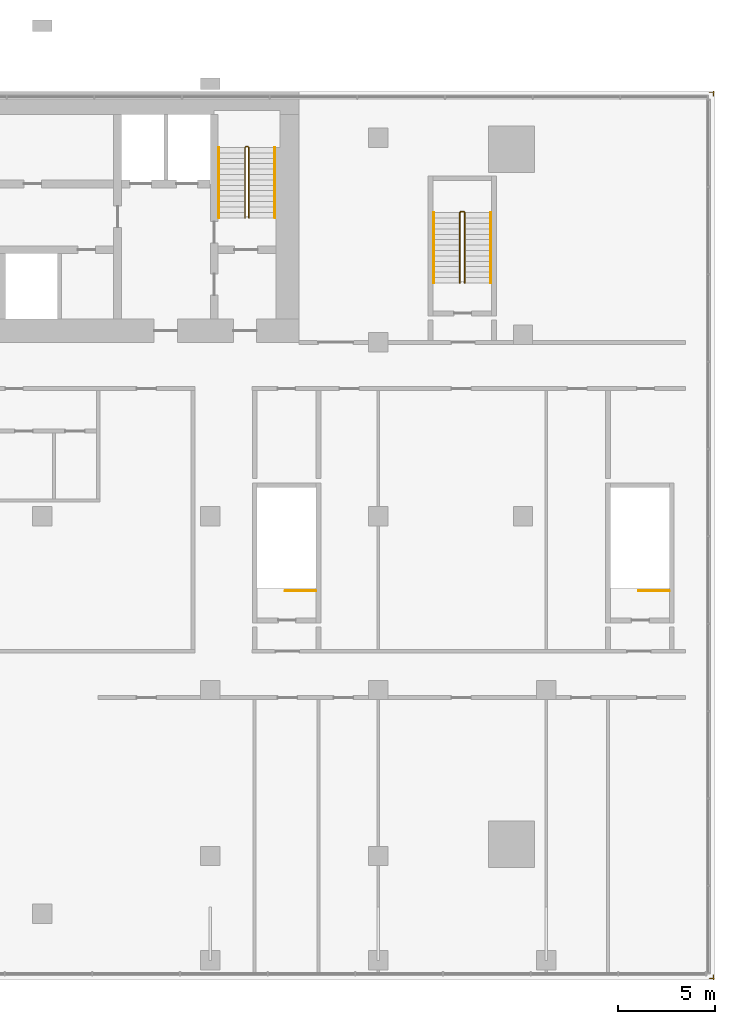
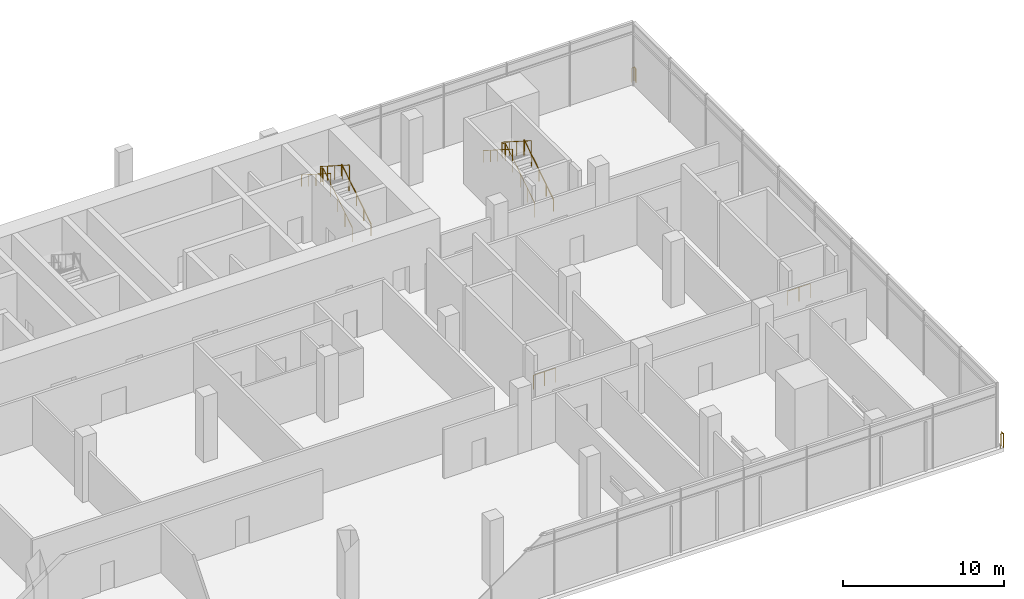
# One storey, part 17 of 17: 10 railings.
"""IFC4 building model written with IfcOpenShell, lengths in metres."""

from ifc_helpers import new_model, si_unit, direction, frame, origin, origin_2d, place, context, subcontext, project, spatial, circle, extrude, material, type_object, element, save


model = new_model("IFC4")

# Units and contexts
model_context = context("Model", 3, precision=1e-05, world=origin(), true_north=direction((0.0, 1.0)))
body_context = subcontext(model_context, "Body", "Model", "MODEL_VIEW")
ifc_project = project(units=[si_unit("LENGTHUNIT", "METRE"), si_unit("AREAUNIT", "SQUARE_METRE"), si_unit("VOLUMEUNIT", "CUBIC_METRE"), si_unit("PLANEANGLEUNIT", "RADIAN"), si_unit("MASSUNIT", "GRAM", prefix="KILO")], contexts=[model_context])

# Site, building, storey
site_placement = place(None, origin())
site = spatial("IfcSite", under=ifc_project, at=site_placement, CompositionType="ELEMENT")
building_placement = place(site_placement, origin())
building = spatial("IfcBuilding", under=site, at=building_placement, Name="Bicima Exchange Tower", CompositionType="ELEMENT")
storey_placement = place(building_placement, frame((0.0, 0.0, 30.0)))
storey = spatial("IfcBuildingStorey", under=building, at=storey_placement, Name="L05", CompositionType="ELEMENT", Elevation=30.0)

# Railings
ifc_material_1 = material(Name="Stainless steel and bonded safety glass", Category="steel")
railing_type_1 = type_object("IfcRailingType", Name="Edge guard 1100", PredefinedType="GUARDRAIL", material=ifc_material_1)
railing_1_placement = place(storey_placement, frame((43.25, -0.050048828125, 0.0)))
element("IfcRailing", 1, at=railing_1_placement, inside=storey, type_object=railing_type_1, Name="Edge guard L05 18", PredefinedType="GUARDRAIL", context=body_context, shape_type="SweptSolid", body=[
    extrude(circle(Radius=0.02392578125, at=origin_2d()), frame((0.0, 0.0, 1.076171875), z_axis=(1.0, 0.0, 0.0), x_axis=(0.0, 1.0, 0.0)), (0.0, 0.0, 1.0), 0.25),
    extrude(circle(Radius=0.02392578125, at=origin_2d()), frame((0.25, 0.0, 1.076171875), z_axis=(-0.707106781187, 0.707106781187, 0.0), x_axis=(-0.707106781187, -0.707106781187, 0.0)), (0.0, 0.0, 1.0), 0.07080078125),
    extrude(circle(Radius=0.02392578125, at=origin_2d()), frame((0.199951171875, 0.050048828125, 1.076171875), z_axis=(0.0, -1.0, 0.0), x_axis=(1.0, 0.0, 0.0)), (0.0, 0.0, 1.0), 0.25),
    extrude(circle(Radius=0.02099609375, at=origin_2d()), origin(), (0.0, 0.0, 1.0), 1.052001953125),
    extrude(circle(Radius=0.02099609375, at=origin_2d()), frame((0.25, 0.0, 0.0)), (0.0, 0.0, 1.0), 1.052001953125),
    extrude(circle(Radius=0.02099609375, at=origin_2d()), frame((0.199951171875, 0.050048828125, 0.0)), (0.0, 0.0, 1.0), 1.052001953125),
    extrude(circle(Radius=0.02099609375, at=origin_2d()), frame((0.199951171875, -0.199951171875, 0.0)), (0.0, 0.0, 1.0), 1.052001953125),
])
railing_2_placement = place(storey_placement, frame((43.449951171875, -45.75, 0.0)))
element("IfcRailing", 2, at=railing_2_placement, inside=storey, type_object=railing_type_1, Name="Edge guard L05 19", PredefinedType="GUARDRAIL", context=body_context, shape_type="SweptSolid", body=[
    extrude(circle(Radius=0.02392578125, at=origin_2d()), frame((0.0, 0.0, 1.076171875), z_axis=(0.0, -1.0, 0.0), x_axis=(1.0, 0.0, 0.0)), (0.0, 0.0, 1.0), 0.25),
    extrude(circle(Radius=0.02392578125, at=origin_2d()), frame((0.0, -0.25, 1.076171875), z_axis=(0.707106781187, 0.707106781187, 0.0), x_axis=(-0.707106781187, 0.707106781187, 0.0)), (0.0, 0.0, 1.0), 0.07080078125),
    extrude(circle(Radius=0.02392578125, at=origin_2d()), frame((0.050048828125, -0.199951171875, 1.076171875), z_axis=(-1.0, 0.0, 0.0), x_axis=(0.0, -1.0, 0.0)), (0.0, 0.0, 1.0), 0.25),
    extrude(circle(Radius=0.02099609375, at=origin_2d()), origin(), (0.0, 0.0, 1.0), 1.052001953125),
    extrude(circle(Radius=0.02099609375, at=origin_2d()), frame((0.0, -0.25, 0.0)), (0.0, 0.0, 1.0), 1.052001953125),
    extrude(circle(Radius=0.02099609375, at=origin_2d()), frame((0.050048828125, -0.199951171875, 0.0)), (0.0, 0.0, 1.0), 1.052001953125),
    extrude(circle(Radius=0.02099609375, at=origin_2d()), frame((-0.199951171875, -0.199951171875, 0.0)), (0.0, 0.0, 1.0), 1.052001953125),
])
ifc_material_2 = material(Name="Stainless steel", Category="steel")
railing_type_2 = type_object("IfcRailingType", Name="Stair guard 1100", PredefinedType="GUARDRAIL", material=ifc_material_2)
railing_3_placement = place(storey_placement, frame((19.39990234375, -6.550048828125, 0.178466796875)))
element("IfcRailing", 3, at=railing_3_placement, inside=storey, type_object=railing_type_2, Name="L05 ST-E stair guard 1", PredefinedType="GUARDRAIL", context=body_context, shape_type="SweptSolid", body=[
    extrude(circle(Radius=0.02392578125, at=origin_2d()), frame((0.0, 0.0, 1.076171875), z_axis=(0.0, 0.843127859045, 0.537713132908), x_axis=(-1.0, 0.0, 0.0)), (0.0, 0.0, 1.0), 4.3173828125),
    extrude(circle(Radius=0.02392578125, at=origin_2d()), frame((0.0, 3.64013671875, 3.3974609375), z_axis=(-0.707106781187, 0.707106781187, 0.0), x_axis=(-0.707106781187, -0.707106781187, 0.0)), (0.0, 0.0, 1.0), 0.0703125),
    extrude(circle(Radius=0.02392578125, at=origin_2d()), frame((-0.0498046875, 3.68994140625, 3.3974609375), z_axis=(-1.0, 0.0, 0.0), x_axis=(0.0, -1.0, 0.0)), (0.0, 0.0, 1.0), 0.10009765625),
    extrude(circle(Radius=0.02392578125, at=origin_2d()), frame((-0.14990234375, 3.68994140625, 3.3974609375), z_axis=(-0.26077077684, -0.25949872427, 0.929870428634), x_axis=(0.705375805398, -0.708833529934, 0.0)), (0.0, 0.0, 1.0), 0.19189453125),
    extrude(circle(Radius=0.02392578125, at=origin_2d()), frame((-0.199951171875, 3.64013671875, 3.576171875), z_axis=(0.0, -0.843127859045, 0.537713132908), x_axis=(1.0, 0.0, 0.0)), (0.0, 0.0, 1.0), 4.3173828125),
    extrude(circle(Radius=0.02099609375, at=origin_2d()), origin(), (0.0, 0.0, 1.0), 1.052001953125),
    extrude(circle(Radius=0.02099609375, at=origin_2d()), frame((0.0, 0.91015625, 0.580322265625)), (0.0, 0.0, 1.0), 1.052001953125),
    extrude(circle(Radius=0.02099609375, at=origin_2d()), frame((0.0, 1.820068359375, 1.16064453125)), (0.0, 0.0, 1.0), 1.052001953125),
    extrude(circle(Radius=0.02099609375, at=origin_2d()), frame((0.0, 2.72998046875, 1.7412109375)), (0.0, 0.0, 1.0), 1.052001953125),
    extrude(circle(Radius=0.02099609375, at=origin_2d()), frame((0.0, 3.64013671875, 2.321533203125)), (0.0, 0.0, 1.0), 1.052001953125),
    extrude(circle(Radius=0.02099609375, at=origin_2d()), frame((-0.0498046875, 3.68994140625, 2.321533203125)), (0.0, 0.0, 1.0), 1.052001953125),
    extrude(circle(Radius=0.02099609375, at=origin_2d()), frame((-0.14990234375, 3.68994140625, 2.321533203125)), (0.0, 0.0, 1.0), 1.052001953125),
    extrude(circle(Radius=0.02099609375, at=origin_2d()), frame((-0.199951171875, 3.64013671875, 2.5)), (0.0, 0.0, 1.0), 1.052001953125),
    extrude(circle(Radius=0.02099609375, at=origin_2d()), frame((-0.199951171875, 2.72998046875, 3.080322265625)), (0.0, 0.0, 1.0), 1.052001953125),
    extrude(circle(Radius=0.02099609375, at=origin_2d()), frame((-0.199951171875, 1.820068359375, 3.66064453125)), (0.0, 0.0, 1.0), 1.052001953125),
    extrude(circle(Radius=0.02099609375, at=origin_2d()), frame((-0.199951171875, 0.91015625, 4.2412109375)), (0.0, 0.0, 1.0), 1.052001953125),
    extrude(circle(Radius=0.02099609375, at=origin_2d()), frame((-0.199951171875, 0.0, 4.821533203125)), (0.0, 0.0, 1.0), 1.052001953125),
])
railing_4_placement = place(storey_placement, frame((30.574951171875, -9.925048828125, 0.178466796875)))
element("IfcRailing", 4, at=railing_4_placement, inside=storey, type_object=railing_type_2, Name="L05 ST-EE stair guard 1", PredefinedType="GUARDRAIL", context=body_context, shape_type="SweptSolid", body=[
    extrude(circle(Radius=0.02392578125, at=origin_2d()), frame((0.0, 0.0, 1.076171875), z_axis=(0.0, 0.843127859045, 0.537713132908), x_axis=(-1.0, 0.0, 0.0)), (0.0, 0.0, 1.0), 4.3173828125),
    extrude(circle(Radius=0.02392578125, at=origin_2d()), frame((0.0, 3.64013671875, 3.3974609375), z_axis=(-0.708833529934, 0.705375805398, 0.0), x_axis=(-0.705375805398, -0.708833529934, 0.0)), (0.0, 0.0, 1.0), 0.070556640625),
    extrude(circle(Radius=0.02392578125, at=origin_2d()), frame((-0.050048828125, 3.68994140625, 3.3974609375), z_axis=(-1.0, 0.0, 0.0), x_axis=(0.0, -1.0, 0.0)), (0.0, 0.0, 1.0), 0.14990234375),
    extrude(circle(Radius=0.02392578125, at=origin_2d()), frame((-0.199951171875, 3.68994140625, 3.3974609375), z_axis=(-0.26077077684, -0.25949872427, 0.929870428634), x_axis=(0.705375805398, -0.708833529934, 0.0)), (0.0, 0.0, 1.0), 0.19189453125),
    extrude(circle(Radius=0.02392578125, at=origin_2d()), frame((-0.25, 3.64013671875, 3.576171875), z_axis=(0.0, -0.843127859045, 0.537713132908), x_axis=(1.0, 0.0, 0.0)), (0.0, 0.0, 1.0), 4.3173828125),
    extrude(circle(Radius=0.02099609375, at=origin_2d()), origin(), (0.0, 0.0, 1.0), 1.052001953125),
    extrude(circle(Radius=0.02099609375, at=origin_2d()), frame((0.0, 0.91015625, 0.580322265625)), (0.0, 0.0, 1.0), 1.052001953125),
    extrude(circle(Radius=0.02099609375, at=origin_2d()), frame((0.0, 1.820068359375, 1.16064453125)), (0.0, 0.0, 1.0), 1.052001953125),
    extrude(circle(Radius=0.02099609375, at=origin_2d()), frame((0.0, 2.72998046875, 1.7412109375)), (0.0, 0.0, 1.0), 1.052001953125),
    extrude(circle(Radius=0.02099609375, at=origin_2d()), frame((0.0, 3.64013671875, 2.321533203125)), (0.0, 0.0, 1.0), 1.052001953125),
    extrude(circle(Radius=0.02099609375, at=origin_2d()), frame((-0.050048828125, 3.68994140625, 2.321533203125)), (0.0, 0.0, 1.0), 1.052001953125),
    extrude(circle(Radius=0.02099609375, at=origin_2d()), frame((-0.199951171875, 3.68994140625, 2.321533203125)), (0.0, 0.0, 1.0), 1.052001953125),
    extrude(circle(Radius=0.02099609375, at=origin_2d()), frame((-0.25, 3.64013671875, 2.5)), (0.0, 0.0, 1.0), 1.052001953125),
    extrude(circle(Radius=0.02099609375, at=origin_2d()), frame((-0.25, 2.72998046875, 3.080322265625)), (0.0, 0.0, 1.0), 1.052001953125),
    extrude(circle(Radius=0.02099609375, at=origin_2d()), frame((-0.25, 1.820068359375, 3.66064453125)), (0.0, 0.0, 1.0), 1.052001953125),
    extrude(circle(Radius=0.02099609375, at=origin_2d()), frame((-0.25, 0.91015625, 4.2412109375)), (0.0, 0.0, 1.0), 1.052001953125),
    extrude(circle(Radius=0.02099609375, at=origin_2d()), frame((-0.25, 0.0, 4.821533203125)), (0.0, 0.0, 1.0), 1.052001953125),
])
for number, where, name in (
    (5, (22.875, -25.875, 0.0), "L05 PS-EI top well guard 1"),
    (6, (41.175048828125, -25.875, 0.0), "L05 PS-E top well guard 1"),
):
    element("IfcRailing", number, at=place(storey_placement, frame(where)), inside=storey, type_object=railing_type_2, Name=name, PredefinedType="GUARDRAIL", context=body_context, shape_type="SweptSolid", body=[
        extrude(circle(Radius=0.02392578125, at=origin_2d()), frame((0.0, 0.0, 1.076171875), z_axis=(-1.0, 0.0, 0.0), x_axis=(0.0, -1.0, 0.0)), (0.0, 0.0, 1.0), 1.60009765625),
        extrude(circle(Radius=0.02099609375, at=origin_2d()), origin(), (0.0, 0.0, 1.0), 1.052001953125),
        extrude(circle(Radius=0.02099609375, at=origin_2d()), frame((-0.800048828125, 0.0, 0.0)), (0.0, 0.0, 1.0), 1.052001953125),
        extrude(circle(Radius=0.02099609375, at=origin_2d()), frame((-1.60009765625, 0.0, 0.0)), (0.0, 0.0, 1.0), 1.052001953125),
    ])
railing_type_3 = type_object("IfcRailingType", Name="Stair handrail 900", PredefinedType="HANDRAIL", material=ifc_material_2)
railing_5_placement = place(storey_placement, frame((20.75, -6.550048828125, 0.178466796875)))
element("IfcRailing", 7, at=railing_5_placement, inside=storey, type_object=railing_type_3, Name="L05 ST-E stair handrail 1", PredefinedType="HANDRAIL", context=body_context, shape_type="SweptSolid", body=[
    extrude(circle(Radius=0.02392578125, at=origin_2d()), frame((0.0, 0.0, 0.8759765625), z_axis=(0.0, 0.843127859045, 0.537713132908), x_axis=(-1.0, 0.0, 0.0)), (0.0, 0.0, 1.0), 4.3173828125),
    extrude(circle(Radius=0.02099609375, at=origin_2d()), origin(), (0.0, 0.0, 1.0), 0.851806640625),
    extrude(circle(Radius=0.02099609375, at=origin_2d()), frame((0.0, 0.91015625, 0.580322265625)), (0.0, 0.0, 1.0), 0.851806640625),
    extrude(circle(Radius=0.02099609375, at=origin_2d()), frame((0.0, 1.820068359375, 1.16064453125)), (0.0, 0.0, 1.0), 0.851806640625),
    extrude(circle(Radius=0.02099609375, at=origin_2d()), frame((0.0, 2.72998046875, 1.7412109375)), (0.0, 0.0, 1.0), 0.851806640625),
    extrude(circle(Radius=0.02099609375, at=origin_2d()), frame((0.0, 3.64013671875, 2.321533203125)), (0.0, 0.0, 1.0), 0.851806640625),
])
railing_6_placement = place(storey_placement, frame((17.85009765625, -2.909912109375, 2.711181640625)))
element("IfcRailing", 8, at=railing_6_placement, inside=storey, type_object=railing_type_3, Name="L05 ST-E stair handrail 2", PredefinedType="HANDRAIL", context=body_context, shape_type="SweptSolid", body=[
    extrude(circle(Radius=0.02392578125, at=origin_2d()), frame((0.0, 0.0, 0.8759765625), z_axis=(0.0, -0.843127859045, 0.537713132908), x_axis=(1.0, 0.0, 0.0)), (0.0, 0.0, 1.0), 4.3173828125),
    extrude(circle(Radius=0.02099609375, at=origin_2d()), origin(), (0.0, 0.0, 1.0), 0.851806640625),
    extrude(circle(Radius=0.02099609375, at=origin_2d()), frame((0.0, -0.91015625, 0.580322265625)), (0.0, 0.0, 1.0), 0.851806640625),
    extrude(circle(Radius=0.02099609375, at=origin_2d()), frame((0.0, -1.820068359375, 1.16064453125)), (0.0, 0.0, 1.0), 0.851806640625),
    extrude(circle(Radius=0.02099609375, at=origin_2d()), frame((0.0, -2.72998046875, 1.7412109375)), (0.0, 0.0, 1.0), 0.851806640625),
    extrude(circle(Radius=0.02099609375, at=origin_2d()), frame((0.0, -3.64013671875, 2.321533203125)), (0.0, 0.0, 1.0), 0.851806640625),
])
railing_7_placement = place(storey_placement, frame((31.925048828125, -9.925048828125, 0.178466796875)))
element("IfcRailing", 9, at=railing_7_placement, inside=storey, type_object=railing_type_3, Name="L05 ST-EE stair handrail 1", PredefinedType="HANDRAIL", context=body_context, shape_type="SweptSolid", body=[
    extrude(circle(Radius=0.02392578125, at=origin_2d()), frame((0.0, 0.0, 0.8759765625), z_axis=(0.0, 0.843127859045, 0.537713132908), x_axis=(-1.0, 0.0, 0.0)), (0.0, 0.0, 1.0), 4.3173828125),
    extrude(circle(Radius=0.02099609375, at=origin_2d()), origin(), (0.0, 0.0, 1.0), 0.851806640625),
    extrude(circle(Radius=0.02099609375, at=origin_2d()), frame((0.0, 0.91015625, 0.580322265625)), (0.0, 0.0, 1.0), 0.851806640625),
    extrude(circle(Radius=0.02099609375, at=origin_2d()), frame((0.0, 1.820068359375, 1.16064453125)), (0.0, 0.0, 1.0), 0.851806640625),
    extrude(circle(Radius=0.02099609375, at=origin_2d()), frame((0.0, 2.72998046875, 1.7412109375)), (0.0, 0.0, 1.0), 0.851806640625),
    extrude(circle(Radius=0.02099609375, at=origin_2d()), frame((0.0, 3.64013671875, 2.321533203125)), (0.0, 0.0, 1.0), 0.851806640625),
])
railing_8_placement = place(storey_placement, frame((28.97509765625, -6.284912109375, 2.711181640625)))
element("IfcRailing", 10, at=railing_8_placement, inside=storey, type_object=railing_type_3, Name="L05 ST-EE stair handrail 2", PredefinedType="HANDRAIL", context=body_context, shape_type="SweptSolid", body=[
    extrude(circle(Radius=0.02392578125, at=origin_2d()), frame((0.0, 0.0, 0.8759765625), z_axis=(0.0, -0.843127859045, 0.537713132908), x_axis=(1.0, 0.0, 0.0)), (0.0, 0.0, 1.0), 4.3173828125),
    extrude(circle(Radius=0.02099609375, at=origin_2d()), origin(), (0.0, 0.0, 1.0), 0.851806640625),
    extrude(circle(Radius=0.02099609375, at=origin_2d()), frame((0.0, -0.91015625, 0.580322265625)), (0.0, 0.0, 1.0), 0.851806640625),
    extrude(circle(Radius=0.02099609375, at=origin_2d()), frame((0.0, -1.820068359375, 1.16064453125)), (0.0, 0.0, 1.0), 0.851806640625),
    extrude(circle(Radius=0.02099609375, at=origin_2d()), frame((0.0, -2.72998046875, 1.7412109375)), (0.0, 0.0, 1.0), 0.851806640625),
    extrude(circle(Radius=0.02099609375, at=origin_2d()), frame((0.0, -3.64013671875, 2.321533203125)), (0.0, 0.0, 1.0), 0.851806640625),
])

save(model, "model.ifc")
